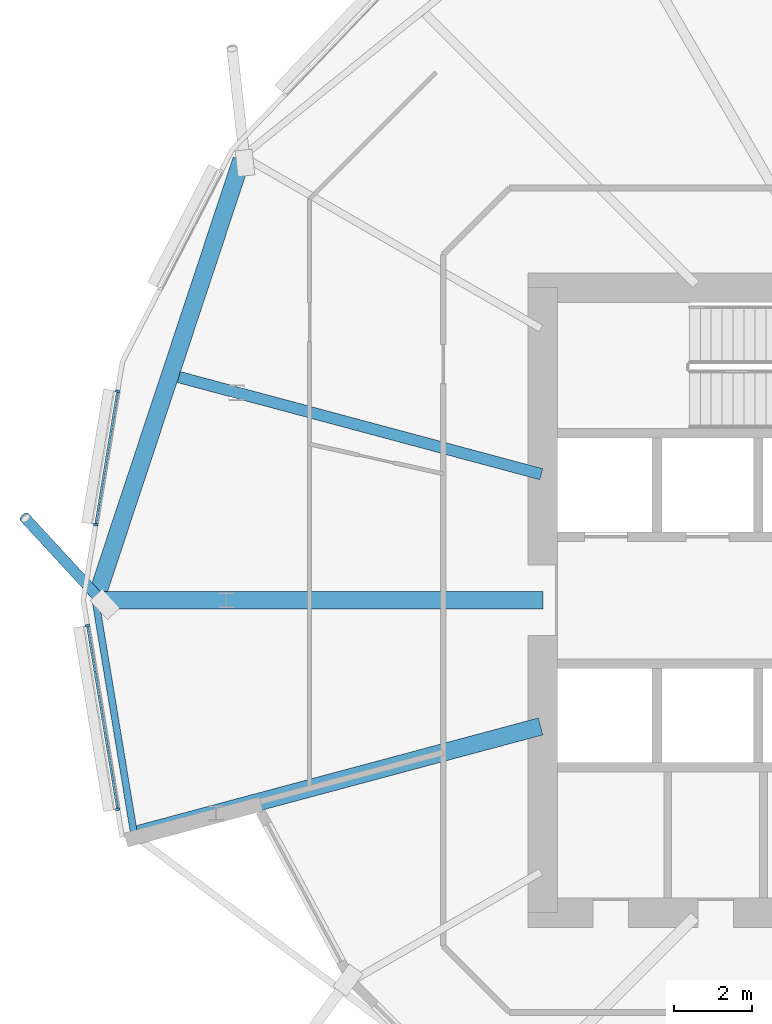
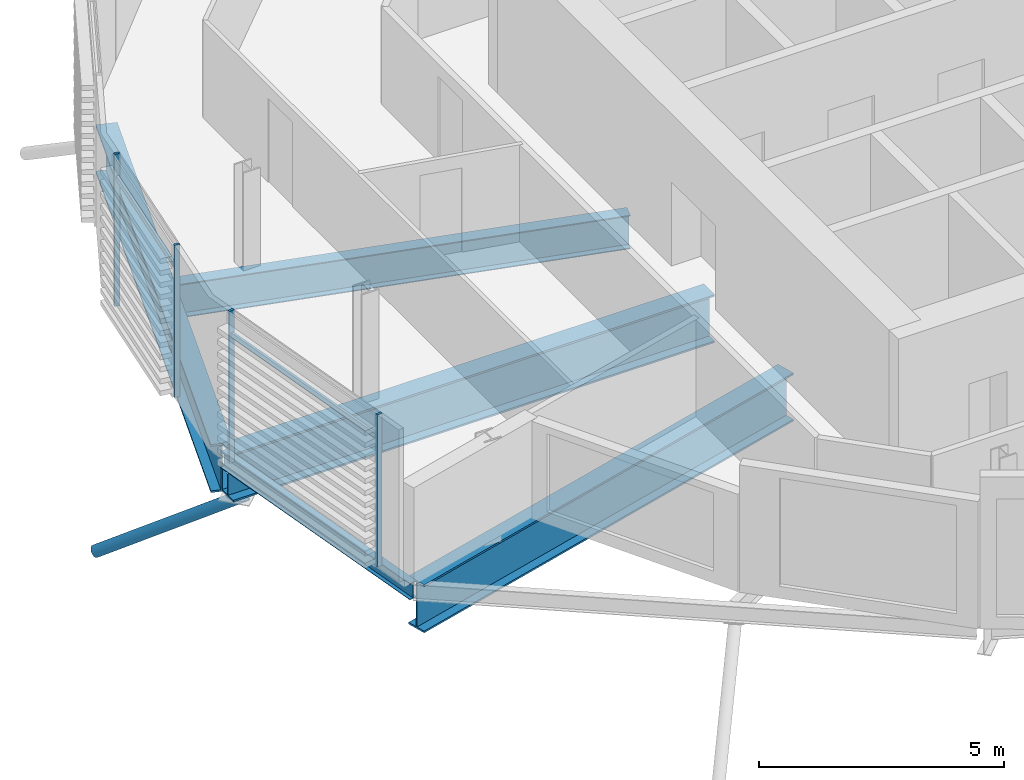
# One storey, part 5 of 42: 7 members, 5 beams, 1 element without a shape of its own.
"""IFC4 building model written with IfcOpenShell, lengths in metres."""

from ifc_helpers import new_model, si_unit, direction, frame, origin, origin_2d, place, context, subcontext, project, spatial, rectangle, hollow_circle, i_section, extrude, clip, halfspace, material, material_profile, profile_set, type_object, element, aggregate, save


model = new_model("IFC4")

# Units and contexts
model_context = context("Model", 3, precision=1e-05, world=origin(), true_north=direction((0.0, 1.0)))
body_context = subcontext(model_context, "Body", "Model", "MODEL_VIEW")
ifc_project = project(units=[si_unit("LENGTHUNIT", "METRE"), si_unit("AREAUNIT", "SQUARE_METRE"), si_unit("VOLUMEUNIT", "CUBIC_METRE"), si_unit("PLANEANGLEUNIT", "RADIAN"), si_unit("MASSUNIT", "GRAM", prefix="KILO")], contexts=[model_context])

# Site, building, storey
site_placement = place(None, origin())
site = spatial("IfcSite", under=ifc_project, at=site_placement, CompositionType="ELEMENT")
building_placement = place(site_placement, origin())
building = spatial("IfcBuilding", under=site, at=building_placement, Name="Rimbun Link Towers", CompositionType="ELEMENT")
storey_placement = place(building_placement, frame((0.0, 0.0, 85.39990234375)))
storey = spatial("IfcBuildingStorey", under=building, at=storey_placement, Name="L20", CompositionType="ELEMENT", Elevation=85.39990234375)

# Curtain wall, members
ifc_material_1 = material(Name="Aluminium 6063-T6 and low-iron glass", Category="aluminium")
curtain_wall_type = type_object("IfcCurtainWallType", Name="CW1-Z2 unitised vision wall (zone 2)", PredefinedType="NOTDEFINED", material=ifc_material_1)
curtain_wall_placement = place(storey_placement, origin())
curtain_wall = element("IfcCurtainWall", 1, at=curtain_wall_placement, inside=storey, type_object=curtain_wall_type, Name="CW1 L20 T1", PredefinedType="NOTDEFINED")
ifc_material_2 = material(Name="Aluminium 6063-T6", Category="aluminium")
ifc_material_profile_1 = material_profile(ifc_material_2, rectangle(XDim=0.1201171875, YDim=0.06005859375, at=origin_2d()), Name="MULLION 60X120")
ifc_profile_set_1 = profile_set([ifc_material_profile_1], Name="Aluminium 6063-T6")
member_type_1 = type_object("IfcMemberType", Name="CW1 mullion 60X120", PredefinedType="MULLION", material=ifc_profile_set_1)
member_1_placement = place(storey_placement, frame((-55.19873046875, 1.933837890625, 0.0), z_axis=(0.0, 0.0, 1.0), x_axis=(-0.986748851509, 0.162255058613, 0.0)))
member_1 = element("IfcMember", 2, at=member_1_placement, type_object=member_type_1, Name="CW1 mullion", PredefinedType="MULLION", context=body_context, shape_type="SweptSolid", body=[
    extrude(rectangle(XDim=0.1201171875, YDim=0.06005859375, at=origin_2d()), origin(), (0.0, 0.0, 1.0), 3.800048828125),
])
member_2_placement = place(storey_placement, frame((-54.636474609375, 5.353515625, 0.0), z_axis=(0.0, 0.0, 1.0), x_axis=(-0.986748851509, 0.162255058613, 0.0)))
member_2 = element("IfcMember", 3, at=member_2_placement, type_object=member_type_1, Name="CW1 mullion", PredefinedType="MULLION", context=body_context, shape_type="SweptSolid", body=[
    extrude(rectangle(XDim=0.1201171875, YDim=0.06005859375, at=origin_2d()), origin(), (0.0, 0.0, 1.0), 3.800048828125),
])
member_3_placement = place(storey_placement, frame((-54.636474609375, -5.353515625, 0.0), z_axis=(0.0, 0.0, 1.0), x_axis=(-0.986748851509, -0.162255058613, 0.0)))
member_3 = element("IfcMember", 4, at=member_3_placement, type_object=member_type_1, Name="CW1 mullion", PredefinedType="MULLION", context=body_context, shape_type="SweptSolid", body=[
    extrude(rectangle(XDim=0.1201171875, YDim=0.06005859375, at=origin_2d()), origin(), (0.0, 0.0, 1.0), 3.800048828125),
])
member_4_placement = place(storey_placement, frame((-55.40966796875, -0.651123046875, 0.0), z_axis=(0.0, 0.0, 1.0), x_axis=(-0.986748851509, -0.162255058613, 0.0)))
member_4 = element("IfcMember", 5, at=member_4_placement, type_object=member_type_1, Name="CW1 mullion", PredefinedType="MULLION", context=body_context, shape_type="SweptSolid", body=[
    extrude(rectangle(XDim=0.1201171875, YDim=0.06005859375, at=origin_2d()), origin(), (0.0, 0.0, 1.0), 3.800048828125),
])
ifc_material_3 = material(Name="Aluminium 6063-T6", Category="aluminium")
ifc_material_profile_2 = material_profile(ifc_material_3, rectangle(XDim=0.06005859375, YDim=0.1201171875, at=origin_2d()), Name="TRANSOM 60X120")
ifc_profile_set_2 = profile_set([ifc_material_profile_2], Name="Aluminium 6063-T6")
member_type_2 = type_object("IfcMemberType", Name="CW1 transom 60X120", PredefinedType="USERDEFINED", material=ifc_profile_set_2)
member_5_placement = place(storey_placement, frame((-55.19189453125, 1.963134765625, 3.2001953125), z_axis=(0.162224767288, 0.986753831955, 0.0), x_axis=(-0.986753831955, 0.162224767288, 0.0)))
member_5 = element("IfcMember", 6, at=member_5_placement, type_object=member_type_2, Name="CW1 transom", ObjectType="TRANSOM", PredefinedType="USERDEFINED", context=body_context, shape_type="SweptSolid", body=[
    extrude(rectangle(XDim=0.06005859375, YDim=0.1201171875, at=origin_2d()), origin(), (0.0, 0.0, 1.0), 3.40576171875),
])
member_6_placement = place(storey_placement, frame((-54.639404296875, -5.32373046875, 3.2001953125), z_axis=(-0.162236357021, 0.986751926505, 0.0), x_axis=(-0.986751926505, -0.162236357021, 0.0)))
member_6 = element("IfcMember", 7, at=member_6_placement, type_object=member_type_2, Name="CW1 transom", ObjectType="TRANSOM", PredefinedType="USERDEFINED", context=body_context, shape_type="SweptSolid", body=[
    extrude(rectangle(XDim=0.06005859375, YDim=0.1201171875, at=origin_2d()), origin(), (0.0, 0.0, 1.0), 4.70556640625),
])
aggregate(curtain_wall, [member_1, member_2, member_3, member_4, member_5, member_6])

# Member
ifc_material_4 = material(Name="Steel S355J2H", Category="steel")
ifc_material_profile_3 = material_profile(ifc_material_4, hollow_circle(Radius=0.136474609375, WallThickness=0.012451171875, at=origin_2d()), Name="CHS 273x12.5")
ifc_profile_set_3 = profile_set([ifc_material_profile_3], Name="Steel S355J2H")
member_type_3 = type_object("IfcMemberType", Name="Floor edge link CHS 273x12.5", PredefinedType="BRACE", material=ifc_profile_set_3)
member_7_placement = place(storey_placement, frame((-55.061279296875, 0.0, -1.474609375), z_axis=(-0.569157542476, 0.61741405224, -0.543009742031), x_axis=(-0.735256215853, -0.677789271861, 0.0)))
element("IfcMember", 8, at=member_7_placement, inside=storey, type_object=member_type_3, Name="Floor edge link T1 L20 12", PredefinedType="BRACE", context=body_context, shape_type="Clipping", body=[
    clip(extrude(hollow_circle(Radius=0.136474609375, WallThickness=0.012451171875, at=origin_2d()), frame((0.0, 0.0, -0.440673828125)), (0.0, 0.0, 1.0), 3.885986328125), halfspace(frame((0.0, 0.0, -0.20751953125), z_axis=(0.0, 0.839726395953, -0.543009742031)), False)),
])

# Beams
ifc_material_5 = material(Name="Steel S355J2", Category="steel")
ifc_material_profile_4 = material_profile(ifc_material_5, i_section(OverallWidth=0.449951171875, OverallDepth=1.199951171875, WebThickness=0.030029296875, FlangeThickness=0.044921875, at=origin_2d()), Name="PG 1200x450x30/45")
ifc_profile_set_4 = profile_set([ifc_material_profile_4], Name="Steel S355J2")
beam_type_1 = type_object("IfcBeamType", Name="PG 1200x450x30/45", PredefinedType="BEAM", material=ifc_profile_set_4)
beam_1_placement = place(storey_placement, frame((-43.7509765625, 0.0, -0.760009765625), z_axis=(-1.0, 0.0, 0.0), x_axis=(0.0, -1.0, 0.0)))
element("IfcBeam", 9, at=beam_1_placement, inside=storey, type_object=beam_type_1, Name="Radial beam T1 L20 12", PredefinedType="BEAM", context=body_context, shape_type="SweptSolid", body=[
    extrude(i_section(OverallWidth=0.449951171875, OverallDepth=1.199951171875, WebThickness=0.030029296875, FlangeThickness=0.044921875, at=origin_2d()), origin(), (0.0, 0.0, 1.0), 11.3603515625),
])
beam_2_placement = place(storey_placement, frame((-43.80908203125, -3.231201171875, -0.760009765625), z_axis=(-0.965923756593, -0.258826769192, 0.0), x_axis=(0.258826769192, -0.965923756593, 0.0)))
element("IfcBeam", 10, at=beam_2_placement, inside=storey, type_object=beam_type_1, Name="Radial beam T1 L20 13", PredefinedType="BEAM", context=body_context, shape_type="SweptSolid", body=[
    extrude(i_section(OverallWidth=0.449951171875, OverallDepth=1.199951171875, WebThickness=0.030029296875, FlangeThickness=0.044921875, at=origin_2d()), origin(), (0.0, 0.0, 1.0), 10.67578125),
])
beam_3_placement = place(storey_placement, frame((-51.464599609375, 11.271484375, -0.760009765625), z_axis=(-0.314773528668, -0.94916680602, 0.0), x_axis=(0.94916680602, -0.314773528668, 0.0)))
element("IfcBeam", 11, at=beam_3_placement, inside=storey, type_object=beam_type_1, Name="Edge beam T1 L20 10-12", PredefinedType="BEAM", context=body_context, shape_type="SweptSolid", body=[
    extrude(i_section(OverallWidth=0.449951171875, OverallDepth=1.199951171875, WebThickness=0.030029296875, FlangeThickness=0.044921875, at=origin_2d()), origin(), (0.0, 0.0, 1.0), 11.63720703125),
])
ifc_material_6 = material(Name="Steel S355J2", Category="steel")
ifc_material_profile_5 = material_profile(ifc_material_6, i_section(OverallWidth=0.177978515625, OverallDepth=0.406494140625, WebThickness=0.0078125, FlangeThickness=0.0126953125, at=origin_2d()), Name="UB 406x178x60")
ifc_profile_set_5 = profile_set([ifc_material_profile_5], Name="Steel S355J2")
beam_type_2 = type_object("IfcBeamType", Name="UB 406x178x60", PredefinedType="BEAM", material=ifc_profile_set_5)
beam_4_placement = place(storey_placement, frame((-55.202392578125, -0.0009765625, -0.363037109375), z_axis=(0.163009273127, -0.986624536931, 0.0), x_axis=(0.986624536931, 0.163009273127, 0.0)))
element("IfcBeam", 12, at=beam_4_placement, inside=storey, type_object=beam_type_2, Name="Edge beam T1 L20 12", PredefinedType="BEAM", context=body_context, shape_type="SweptSolid", body=[
    extrude(i_section(OverallWidth=0.177978515625, OverallDepth=0.406494140625, WebThickness=0.0078125, FlangeThickness=0.0126953125, at=origin_2d()), origin(), (0.0, 0.0, 1.0), 6.09716796875),
])
ifc_material_7 = material(Name="Steel S355J2", Category="steel")
ifc_material_profile_6 = material_profile(ifc_material_7, i_section(OverallWidth=0.29248046875, OverallDepth=0.8408203125, WebThickness=0.0126953125, FlangeThickness=0.021728515625, at=origin_2d()), Name="UB 838x292x194")
ifc_profile_set_6 = profile_set([ifc_material_profile_6], Name="Steel S355J2")
beam_type_3 = type_object("IfcBeamType", Name="UB 838x292x194", PredefinedType="BEAM", material=ifc_profile_set_6)
beam_5_placement = place(storey_placement, frame((-43.788818359375, 3.225830078125, -0.580322265625), z_axis=(-0.965926388782, 0.258816945841, 0.0), x_axis=(-0.258816945841, -0.965926388782, 0.0)))
element("IfcBeam", 13, at=beam_5_placement, inside=storey, type_object=beam_type_3, Name="Radial beam T1 L20 11", PredefinedType="BEAM", context=body_context, shape_type="SweptSolid", body=[
    extrude(i_section(OverallWidth=0.29248046875, OverallDepth=0.8408203125, WebThickness=0.0126953125, FlangeThickness=0.021728515625, at=origin_2d()), origin(), (0.0, 0.0, 1.0), 9.6083984375),
])

save(model, "model.ifc")
